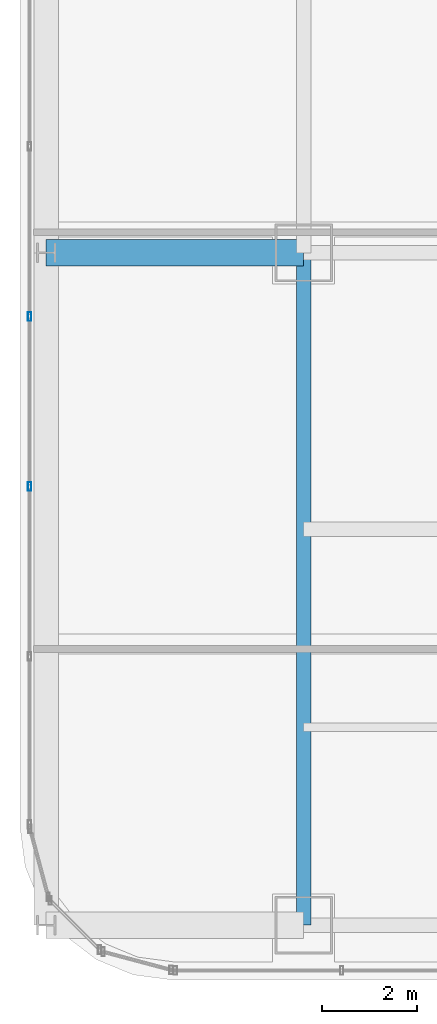
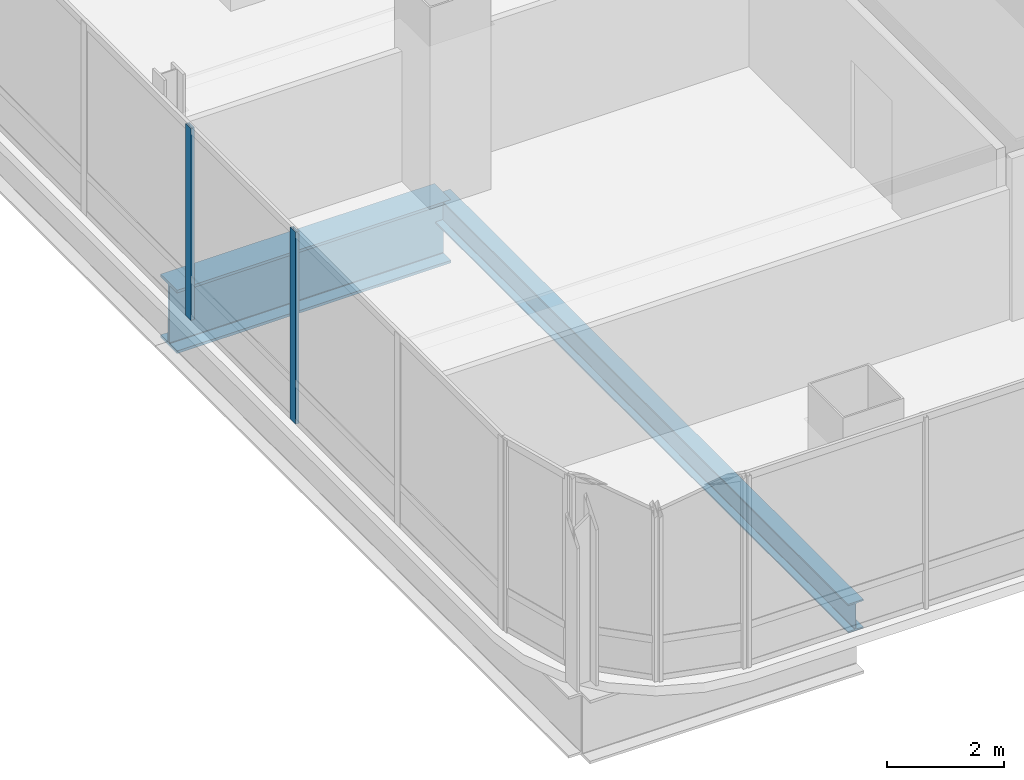
# One storey, part 5 of 41: 2 beams, 2 members, 1 element without a shape of its own.
"""IFC4 building model written with IfcOpenShell, lengths in metres."""

from ifc_helpers import new_model, si_unit, direction, frame, origin, origin_2d, place, context, subcontext, project, spatial, hollow_rectangle, i_section, extrude, material, material_profile, profile_set, type_object, element, aggregate, save


model = new_model("IFC4")

# Units and contexts
model_context = context("Model", 3, precision=1e-05, world=origin(), true_north=direction((0.0, 1.0)))
body_context = subcontext(model_context, "Body", "Model", "MODEL_VIEW")
ifc_project = project(units=[si_unit("LENGTHUNIT", "METRE"), si_unit("AREAUNIT", "SQUARE_METRE"), si_unit("VOLUMEUNIT", "CUBIC_METRE"), si_unit("PLANEANGLEUNIT", "RADIAN"), si_unit("MASSUNIT", "GRAM", prefix="KILO")], contexts=[model_context])

# Site, building, storey
site_placement = place(None, origin())
site = spatial("IfcSite", under=ifc_project, at=site_placement, CompositionType="ELEMENT")
building_placement = place(site_placement, origin())
building = spatial("IfcBuilding", under=site, at=building_placement, Name="Punatoya Terracotta Tower", CompositionType="ELEMENT")
storey_placement = place(building_placement, frame((0.0, 0.0, 292.199951171875)))
storey = spatial("IfcBuildingStorey", under=building, at=storey_placement, Name="L69", CompositionType="ELEMENT", Elevation=292.199951171875)

# Beams
ifc_material_1 = material(Name="Steel S355", Category="steel")
ifc_material_profile_1 = material_profile(ifc_material_1, i_section(OverallWidth=0.300048828125, OverallDepth=0.60009765625, WebThickness=0.015380859375, FlangeThickness=0.030029296875, FilletRadius=0.01806640625, at=origin_2d()))
ifc_profile_set_1 = profile_set([ifc_material_profile_1], Name="Steel S355")
beam_type_1 = type_object("IfcBeamType", Name="BM-PRI-600", PredefinedType="BEAM", material=ifc_profile_set_1)
beam_1_placement = place(storey_placement, frame((-19.10009765625, -17.5, -0.5), z_axis=(0.0, 1.0, 0.0), x_axis=(-1.0, 0.0, 0.0)))
element("IfcBeam", 1, at=beam_1_placement, inside=storey, type_object=beam_type_1, Name="BM-L69-RG-W1", PredefinedType="BEAM", context=body_context, shape_type="SweptSolid", body=[
    extrude(i_section(OverallWidth=0.300048828125, OverallDepth=0.60009765625, WebThickness=0.015380859375, FlangeThickness=0.030029296875, FilletRadius=0.01806640625, at=origin_2d()), origin(), (0.0, 0.0, 1.0), 14.10009765625),
])
ifc_material_2 = material(Name="Steel S460", Category="steel")
ifc_material_profile_2 = material_profile(ifc_material_2, i_section(OverallWidth=0.56005859375, OverallDepth=1.320068359375, WebThickness=0.035888671875, FlangeThickness=0.054931640625, FilletRadius=0.01806640625, at=origin_2d()))
ifc_profile_set_2 = profile_set([ifc_material_profile_2], Name="Steel S460")
beam_type_2 = type_object("IfcBeamType", Name="BM-TG-BLK", PredefinedType="BEAM", material=ifc_profile_set_2)
beam_2_placement = place(storey_placement, frame((-24.5, -3.39990234375, -0.85986328125), z_axis=(1.0, 0.0, 0.0), x_axis=(0.0, 1.0, 0.0)))
element("IfcBeam", 2, at=beam_2_placement, inside=storey, type_object=beam_type_2, Name="BM-L69-CANT-W2", PredefinedType="BEAM", context=body_context, shape_type="SweptSolid", body=[
    extrude(i_section(OverallWidth=0.56005859375, OverallDepth=1.320068359375, WebThickness=0.035888671875, FlangeThickness=0.054931640625, FilletRadius=0.01806640625, at=origin_2d()), origin(), (0.0, 0.0, 1.0), 5.39990234375),
])

# Curtain wall, members
ifc_material_3 = material(Name="Aluminium 6063-T6 + Double Low-E Glass", Category="aluminium")
curtain_wall_type = type_object("IfcCurtainWallType", Name="CW-M3", PredefinedType="NOTDEFINED", material=ifc_material_3)
curtain_wall_placement = place(storey_placement, origin())
curtain_wall = element("IfcCurtainWall", 3, at=curtain_wall_placement, inside=storey, type_object=curtain_wall_type, Name="L69 Curtain Wall CW-L69-W13-1", PredefinedType="NOTDEFINED")
ifc_material_4 = material(Name="Aluminium 6063-T6", Category="aluminium")
ifc_material_profile_3 = material_profile(ifc_material_4, hollow_rectangle(XDim=0.070068359375, YDim=0.179931640625, WallThickness=0.00390625, at=origin_2d()))
ifc_profile_set_3 = profile_set([ifc_material_profile_3], Name="Aluminium 6063-T6")
member_type = type_object("IfcMemberType", Name="CW-MUL-M3", PredefinedType="MULLION", material=ifc_profile_set_3)
member_1_placement = place(storey_placement, frame((-24.85009765625, -4.73486328125, 0.0), z_axis=(0.0, 0.0, 1.0), x_axis=(1.0, 0.0, 0.0)))
member_1 = element("IfcMember", 4, at=member_1_placement, type_object=member_type, Name="CW-L69-W13-1 Mullion 07", PredefinedType="MULLION", context=body_context, shape_type="SweptSolid", body=[
    extrude(hollow_rectangle(XDim=0.070068359375, YDim=0.179931640625, WallThickness=0.00390625, at=origin_2d()), origin(), (0.0, 0.0, 1.0), 4.0),
])
member_2_placement = place(storey_placement, frame((-24.85009765625, -8.302001953125, 0.0), z_axis=(0.0, 0.0, 1.0), x_axis=(1.0, 0.0, 0.0)))
member_2 = element("IfcMember", 5, at=member_2_placement, type_object=member_type, Name="CW-L69-W13-1 Mullion 08", PredefinedType="MULLION", context=body_context, shape_type="SweptSolid", body=[
    extrude(hollow_rectangle(XDim=0.070068359375, YDim=0.179931640625, WallThickness=0.00390625, at=origin_2d()), origin(), (0.0, 0.0, 1.0), 4.0),
])
aggregate(curtain_wall, [member_1, member_2])

save(model, "model.ifc")
